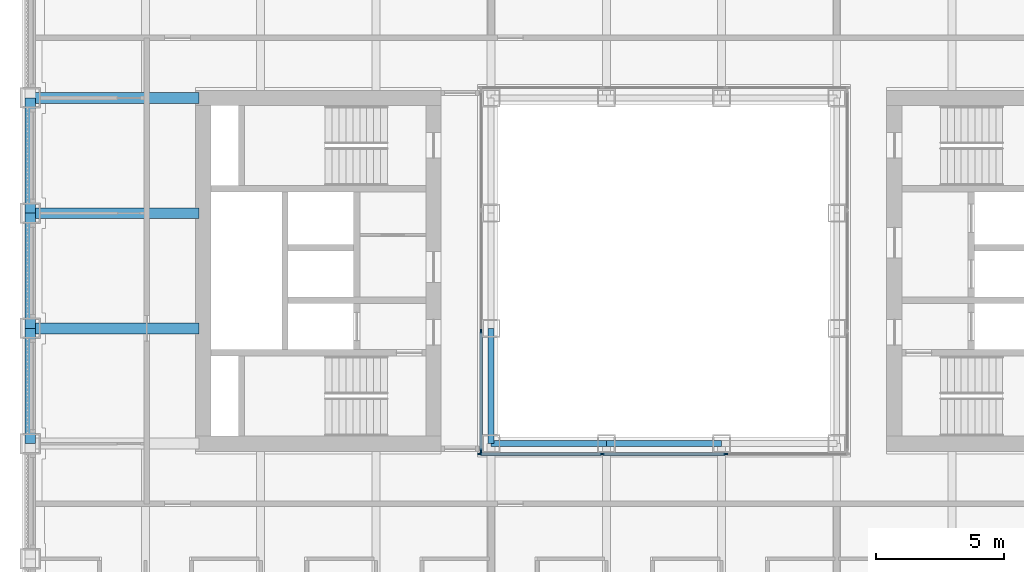
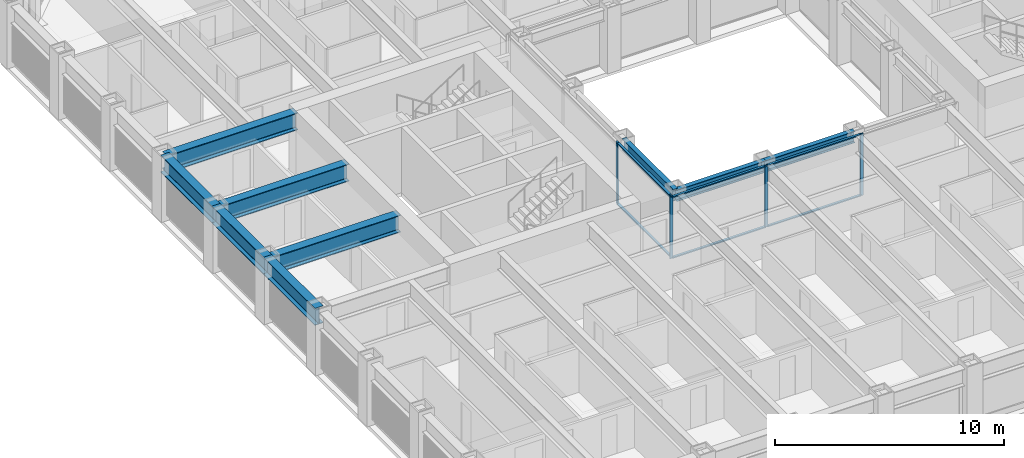
# One storey, part 3 of 21: 11 members, 9 beams, 2 elements without a shape of their own.
"""IFC4 building model written with IfcOpenShell, lengths in metres."""

from ifc_helpers import new_model, si_unit, direction, frame, origin, origin_2d, place, context, subcontext, project, spatial, rectangle, i_section, extrude, material, material_profile, profile_set, type_object, element, aggregate, save


model = new_model("IFC4")

# Units and contexts
model_context = context("Model", 3, precision=1e-05, world=origin(), true_north=direction((0.0, 1.0)))
body_context = subcontext(model_context, "Body", "Model", "MODEL_VIEW")
ifc_project = project(units=[si_unit("LENGTHUNIT", "METRE"), si_unit("AREAUNIT", "SQUARE_METRE"), si_unit("VOLUMEUNIT", "CUBIC_METRE"), si_unit("PLANEANGLEUNIT", "RADIAN"), si_unit("MASSUNIT", "GRAM", prefix="KILO")], contexts=[model_context])

# Site, building, storey
site_placement = place(None, origin())
site = spatial("IfcSite", under=ifc_project, at=site_placement, CompositionType="ELEMENT")
building_placement = place(site_placement, origin())
building = spatial("IfcBuilding", under=site, at=building_placement, Name="Msasa Ring Tower", CompositionType="ELEMENT")
storey_placement = place(building_placement, frame((0.0, 0.0, 93.0)))
storey = spatial("IfcBuildingStorey", under=building, at=storey_placement, Name="L24", CompositionType="ELEMENT", Elevation=93.0)

# Curtain wall, members
ifc_material_1 = material(Name="Aluminium curtain wall with clear glass", Category="aluminium")
curtain_wall_type = type_object("IfcCurtainWallType", Name="CW-W LIGHT WELL CURTAIN WALL", PredefinedType="NOTDEFINED", material=ifc_material_1)
curtain_wall_1_placement = place(storey_placement, origin())
curtain_wall_1 = element("IfcCurtainWall", 1, at=curtain_wall_1_placement, inside=storey, type_object=curtain_wall_type, Name="Light well curtain wall S L24", PredefinedType="NOTDEFINED")
ifc_material_2 = material(Name="Aluminium mullion", Category="aluminium")
ifc_material_profile_1 = material_profile(ifc_material_2, rectangle(XDim=0.06005859375, YDim=0.159912109375, at=origin_2d()), Name="AL 60x160")
ifc_profile_set_1 = profile_set([ifc_material_profile_1], Name="Aluminium mullion")
member_type_1 = type_object("IfcMemberType", Name="CW-W MULLION 60x160", PredefinedType="MULLION", material=ifc_profile_set_1)
member_1_placement = place(storey_placement, frame((-7.199951171875, -7.14990234375, 0.0), z_axis=(0.0, 0.0, 1.0), x_axis=(0.0, 1.0, 0.0)))
member_1 = element("IfcMember", 2, at=member_1_placement, type_object=member_type_1, Name="CW-W mullion 1", PredefinedType="MULLION", context=body_context, shape_type="SweptSolid", body=[
    extrude(rectangle(XDim=0.06005859375, YDim=0.159912109375, at=origin_2d()), origin(), (0.0, 0.0, 1.0), 3.300048828125),
])
member_2_placement = place(storey_placement, frame((-2.409912109375, -7.14990234375, 0.0), z_axis=(0.0, 0.0, 1.0), x_axis=(0.0, 1.0, 0.0)))
member_2 = element("IfcMember", 3, at=member_2_placement, type_object=member_type_1, Name="CW-W mullion 2", PredefinedType="MULLION", context=body_context, shape_type="SweptSolid", body=[
    extrude(rectangle(XDim=0.06005859375, YDim=0.159912109375, at=origin_2d()), origin(), (0.0, 0.0, 1.0), 3.300048828125),
])
member_3_placement = place(storey_placement, frame((2.409912109375, -7.14990234375, 0.0), z_axis=(0.0, 0.0, 1.0), x_axis=(0.0, 1.0, 0.0)))
member_3 = element("IfcMember", 4, at=member_3_placement, type_object=member_type_1, Name="CW-W mullion 3", PredefinedType="MULLION", context=body_context, shape_type="SweptSolid", body=[
    extrude(rectangle(XDim=0.06005859375, YDim=0.159912109375, at=origin_2d()), origin(), (0.0, 0.0, 1.0), 3.300048828125),
])

curtain_wall_2_placement = place(storey_placement, origin())
curtain_wall_2 = element("IfcCurtainWall", 5, at=curtain_wall_2_placement, inside=storey, type_object=curtain_wall_type, Name="Light well curtain wall W L24", PredefinedType="NOTDEFINED")
member_4_placement = place(storey_placement, frame((-7.14990234375, -7.0400390625, 0.0), z_axis=(0.0, 0.0, 1.0), x_axis=(-1.0, 0.0, 0.0)))
member_4 = element("IfcMember", 6, at=member_4_placement, type_object=member_type_1, Name="CW-W mullion 1", PredefinedType="MULLION", context=body_context, shape_type="SweptSolid", body=[
    extrude(rectangle(XDim=0.06005859375, YDim=0.159912109375, at=origin_2d()), origin(), (0.0, 0.0, 1.0), 3.300048828125),
])
member_5_placement = place(storey_placement, frame((-7.14990234375, -2.356689453125, 0.0), z_axis=(0.0, 0.0, 1.0), x_axis=(-1.0, 0.0, 0.0)))
member_5 = element("IfcMember", 7, at=member_5_placement, type_object=member_type_1, Name="CW-W mullion 2", PredefinedType="MULLION", context=body_context, shape_type="SweptSolid", body=[
    extrude(rectangle(XDim=0.06005859375, YDim=0.159912109375, at=origin_2d()), origin(), (0.0, 0.0, 1.0), 3.300048828125),
])

# Member
ifc_material_3 = material(Name="Aluminium transom", Category="aluminium")
ifc_material_profile_2 = material_profile(ifc_material_3, rectangle(XDim=0.1201171875, YDim=0.06005859375, at=origin_2d()), Name="AL 60x120")
ifc_profile_set_2 = profile_set([ifc_material_profile_2], Name="Aluminium transom")
member_type_2 = type_object("IfcMemberType", Name="CW-W TRANSOM 60x120", PredefinedType="USERDEFINED", material=ifc_profile_set_2)
member_6_placement = place(storey_placement, frame((-7.169921875, -7.14990234375, 0.030029296875), z_axis=(1.0, 0.0, 0.0), x_axis=(0.0, 1.0, 0.0)))
member_6 = element("IfcMember", 8, at=member_6_placement, type_object=member_type_2, Name="CW-W transom 1.1", ObjectType="TRANSOM", PredefinedType="USERDEFINED", context=body_context, shape_type="SweptSolid", body=[
    extrude(rectangle(XDim=0.1201171875, YDim=0.06005859375, at=origin_2d()), origin(), (0.0, 0.0, 1.0), 4.72998046875),
])

member_7_placement = place(storey_placement, frame((-7.169921875, -7.14990234375, 3.27001953125), z_axis=(1.0, 0.0, 0.0), x_axis=(0.0, 1.0, 0.0)))
member_7 = element("IfcMember", 9, at=member_7_placement, type_object=member_type_2, Name="CW-W transom 1.2", ObjectType="TRANSOM", PredefinedType="USERDEFINED", context=body_context, shape_type="SweptSolid", body=[
    extrude(rectangle(XDim=0.1201171875, YDim=0.06005859375, at=origin_2d()), origin(), (0.0, 0.0, 1.0), 4.72998046875),
])

member_8_placement = place(storey_placement, frame((-2.3798828125, -7.14990234375, 0.030029296875), z_axis=(1.0, 0.0, 0.0), x_axis=(0.0, 1.0, 0.0)))
member_8 = element("IfcMember", 10, at=member_8_placement, type_object=member_type_2, Name="CW-W transom 2.1", ObjectType="TRANSOM", PredefinedType="USERDEFINED", context=body_context, shape_type="SweptSolid", body=[
    extrude(rectangle(XDim=0.1201171875, YDim=0.06005859375, at=origin_2d()), origin(), (0.0, 0.0, 1.0), 4.759765625),
])

member_9_placement = place(storey_placement, frame((-2.3798828125, -7.14990234375, 3.27001953125), z_axis=(1.0, 0.0, 0.0), x_axis=(0.0, 1.0, 0.0)))
member_9 = element("IfcMember", 11, at=member_9_placement, type_object=member_type_2, Name="CW-W transom 2.2", ObjectType="TRANSOM", PredefinedType="USERDEFINED", context=body_context, shape_type="SweptSolid", body=[
    extrude(rectangle(XDim=0.1201171875, YDim=0.06005859375, at=origin_2d()), origin(), (0.0, 0.0, 1.0), 4.759765625),
])

aggregate(curtain_wall_1, [member_1, member_2, member_3, member_6, member_7, member_8, member_9])

member_10_placement = place(storey_placement, frame((-7.14990234375, -7.010009765625, 0.030029296875), z_axis=(0.0, 1.0, 0.0), x_axis=(-1.0, 0.0, 0.0)))
member_10 = element("IfcMember", 12, at=member_10_placement, type_object=member_type_2, Name="CW-W transom 1.1", ObjectType="TRANSOM", PredefinedType="USERDEFINED", context=body_context, shape_type="SweptSolid", body=[
    extrude(rectangle(XDim=0.1201171875, YDim=0.06005859375, at=origin_2d()), origin(), (0.0, 0.0, 1.0), 4.623291015625),
])

member_11_placement = place(storey_placement, frame((-7.14990234375, -7.010009765625, 3.27001953125), z_axis=(0.0, 1.0, 0.0), x_axis=(-1.0, 0.0, 0.0)))
member_11 = element("IfcMember", 13, at=member_11_placement, type_object=member_type_2, Name="CW-W transom 1.2", ObjectType="TRANSOM", PredefinedType="USERDEFINED", context=body_context, shape_type="SweptSolid", body=[
    extrude(rectangle(XDim=0.1201171875, YDim=0.06005859375, at=origin_2d()), origin(), (0.0, 0.0, 1.0), 4.623291015625),
])

aggregate(curtain_wall_2, [member_4, member_5, member_10, member_11])

# Beams
ifc_material_4 = material(Name="Steel S355", Category="steel")
ifc_material_profile_3 = material_profile(ifc_material_4, i_section(OverallWidth=0.42041015625, OverallDepth=0.9208984375, WebThickness=0.021484375, FlangeThickness=0.03662109375, FilletRadius=0.024169921875, at=origin_2d()), Name="UB 914x419x388")
ifc_profile_set_3 = profile_set([ifc_material_profile_3], Name="Steel S355")
beam_type_1 = type_object("IfcBeamType", Name="FB2 UB 914x419x388", PredefinedType="BEAM", material=ifc_profile_set_3)
for number, where, z_axis, x_axis, name in (
    (14, (-24.75, -2.25, 2.839599609375), (1.0, 0.0, 0.0), (0.0, 1.0, 0.0), "Floor beam W -2.25 under L25"),
    (15, (-24.75, 2.25, 2.839599609375), (1.0, 0.0, 0.0), (0.0, 1.0, 0.0), "Floor beam W +2.25 under L25"),
):
    element("IfcBeam", number, at=place(storey_placement, frame(where, z_axis=z_axis, x_axis=x_axis)), inside=storey, type_object=beam_type_1, Name=name, PredefinedType="BEAM", context=body_context, shape_type="SweptSolid", body=[
        extrude(i_section(OverallWidth=0.42041015625, OverallDepth=0.9208984375, WebThickness=0.021484375, FlangeThickness=0.03662109375, FilletRadius=0.024169921875, at=origin_2d()), origin(), (0.0, 0.0, 1.0), 6.60009765625),
    ])
ifc_material_5 = material(Name="Steel S355", Category="steel")
ifc_material_profile_4 = material_profile(ifc_material_5, i_section(OverallWidth=0.42041015625, OverallDepth=0.9208984375, WebThickness=0.021484375, FlangeThickness=0.03662109375, FilletRadius=0.024169921875, at=origin_2d()), Name="UB 914x419x388")
ifc_profile_set_4 = profile_set([ifc_material_profile_4], Name="Steel S355")
beam_type_2 = type_object("IfcBeamType", Name="GB1 UB 914x419x388", PredefinedType="BEAM", material=ifc_profile_set_4)
beam_placement = place(storey_placement, frame((-18.14990234375, 6.75, 2.839599609375), z_axis=(-1.0, 0.0, 0.0), x_axis=(0.0, -1.0, 0.0)))
element("IfcBeam", 16, at=beam_placement, inside=storey, type_object=beam_type_2, Name="Girder W +6.75 under L25", PredefinedType="BEAM", context=body_context, shape_type="SweptSolid", body=[
    extrude(i_section(OverallWidth=0.42041015625, OverallDepth=0.9208984375, WebThickness=0.021484375, FlangeThickness=0.03662109375, FilletRadius=0.024169921875, at=origin_2d()), origin(), (0.0, 0.0, 1.0), 6.60009765625),
])
ifc_material_6 = material(Name="Steel S355", Category="steel")
ifc_material_profile_5 = material_profile(ifc_material_6, i_section(OverallWidth=0.230224609375, OverallDepth=0.6171875, WebThickness=0.01318359375, FlangeThickness=0.022216796875, FilletRadius=0.0126953125, at=origin_2d()), Name="UB 610x229x140")
ifc_profile_set_5 = profile_set([ifc_material_profile_5], Name="Steel S355")
beam_type_3 = type_object("IfcBeamType", Name="RB1 UB 610x229x140", PredefinedType="BEAM", material=ifc_profile_set_5)
for number, where, z_axis, x_axis, name in (
    (17, (-6.75, -2.25, 2.991455078125), (0.0, -1.0, 0.0), (1.0, 0.0, 0.0), "Inner ring beam IR-6.75-2.25 under L25"),
    (18, (-6.75, -6.75, 2.991455078125), (1.0, 0.0, 0.0), (0.0, 1.0, 0.0), "Inner ring beam IR-6.75-6.75 under L25"),
    (19, (-2.25, -6.75, 2.991455078125), (1.0, 0.0, 0.0), (0.0, 1.0, 0.0), "Inner ring beam IR-2.25-6.75 under L25"),
):
    element("IfcBeam", number, at=place(storey_placement, frame(where, z_axis=z_axis, x_axis=x_axis)), inside=storey, type_object=beam_type_3, Name=name, PredefinedType="BEAM", context=body_context, shape_type="SweptSolid", body=[
        extrude(i_section(OverallWidth=0.230224609375, OverallDepth=0.6171875, WebThickness=0.01318359375, FlangeThickness=0.022216796875, FilletRadius=0.0126953125, at=origin_2d()), origin(), (0.0, 0.0, 1.0), 4.5),
    ])
ifc_material_7 = material(Name="Steel S355", Category="steel")
ifc_material_profile_6 = material_profile(ifc_material_7, i_section(OverallWidth=0.42041015625, OverallDepth=0.9208984375, WebThickness=0.021484375, FlangeThickness=0.03662109375, FilletRadius=0.024169921875, at=origin_2d()), Name="UB 914x419x388")
ifc_profile_set_6 = profile_set([ifc_material_profile_6], Name="Steel S355")
beam_type_4 = type_object("IfcBeamType", Name="SB1 UB 914x419x388", PredefinedType="SPANDREL", material=ifc_profile_set_6)
for number, where, z_axis, x_axis, name in (
    (20, (-24.75, -2.25, 2.839599609375), (0.0, -1.0, 0.0), (1.0, 0.0, 0.0), "Spandrel W-2.25 to W-6.75 under L25"),
    (21, (-24.75, 6.75, 2.839599609375), (0.0, -1.0, 0.0), (1.0, 0.0, 0.0), "Spandrel W+6.75 to W+2.25 under L25"),
    (22, (-24.75, 2.25, 2.839599609375), (0.0, -1.0, 0.0), (1.0, 0.0, 0.0), "Spandrel W+2.25 to W-2.25 under L25"),
):
    element("IfcBeam", number, at=place(storey_placement, frame(where, z_axis=z_axis, x_axis=x_axis)), inside=storey, type_object=beam_type_4, Name=name, PredefinedType="SPANDREL", context=body_context, shape_type="SweptSolid", body=[
        extrude(i_section(OverallWidth=0.42041015625, OverallDepth=0.9208984375, WebThickness=0.021484375, FlangeThickness=0.03662109375, FilletRadius=0.024169921875, at=origin_2d()), origin(), (0.0, 0.0, 1.0), 4.5),
    ])

save(model, "model.ifc")
